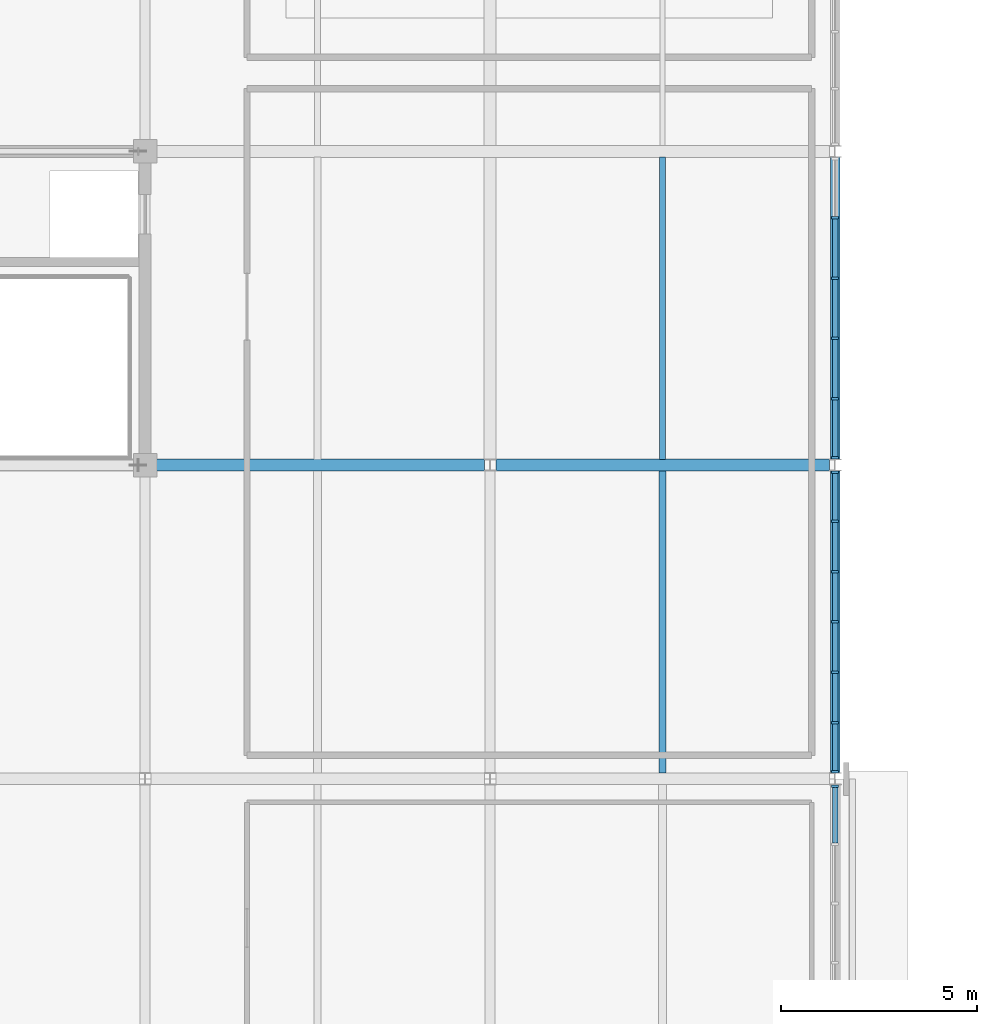
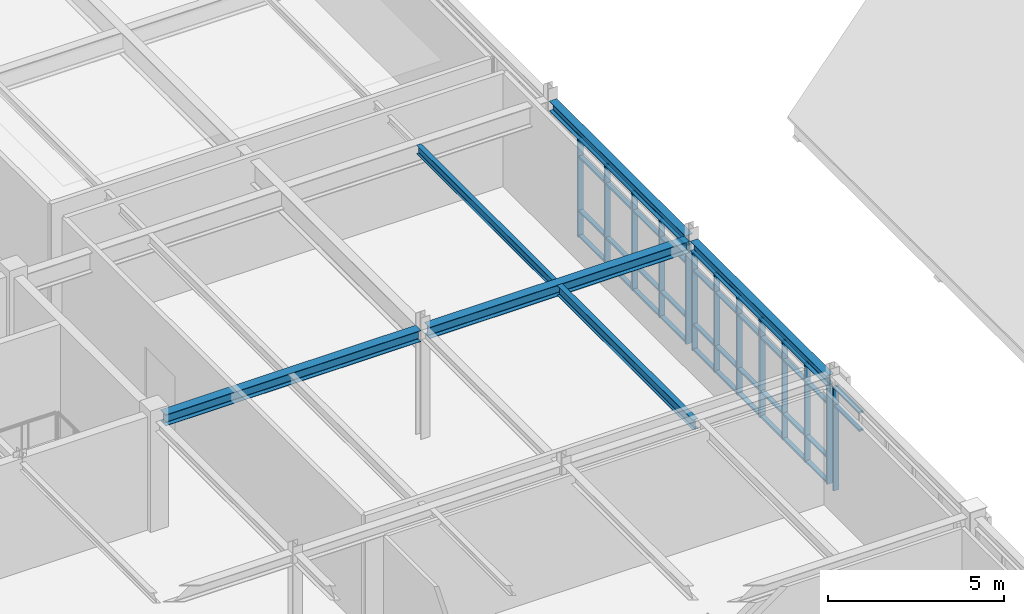
# One storey, part 19 of 64: 55 members, 6 beams, 3 elements without a shape of their own.
"""IFC4 building model written with IfcOpenShell, lengths in metres."""

from ifc_helpers import new_model, si_unit, direction, frame, origin, origin_2d, place, context, subcontext, project, spatial, rectangle, i_section, extrude, material, material_profile, profile_set, type_object, element, aggregate, save


model = new_model("IFC4")

# Units and contexts
model_context = context("Model", 3, precision=1e-05, world=origin(), true_north=direction((0.0, 1.0)))
body_context = subcontext(model_context, "Body", "Model", "MODEL_VIEW")
ifc_project = project(units=[si_unit("LENGTHUNIT", "METRE"), si_unit("AREAUNIT", "SQUARE_METRE"), si_unit("VOLUMEUNIT", "CUBIC_METRE"), si_unit("PLANEANGLEUNIT", "RADIAN"), si_unit("MASSUNIT", "GRAM", prefix="KILO")], contexts=[model_context])

# Site, building, storey
site_placement = place(None, origin())
site = spatial("IfcSite", under=ifc_project, at=site_placement, CompositionType="ELEMENT")
building_placement = place(site_placement, origin())
building = spatial("IfcBuilding", under=site, at=building_placement, Name="Zhaolan Boulevard Law Courts", CompositionType="ELEMENT")
storey_placement = place(building_placement, frame((0.0, 0.0, 20.39990234375)))
storey = spatial("IfcBuildingStorey", under=building, at=storey_placement, Name="L04", CompositionType="ELEMENT", Elevation=20.39990234375)

# Curtain wall, members
ifc_material_1 = material(Name="Thermally broken aluminium and low-E glazing", Category="aluminium")
curtain_wall_type_1 = type_object("IfcCurtainWallType", Name="CURTAIN WALL M15", PredefinedType="USERDEFINED", material=ifc_material_1)
curtain_wall_1_placement = place(storey_placement, origin())
curtain_wall_1 = element("IfcCurtainWall", 1, at=curtain_wall_1_placement, inside=storey, type_object=curtain_wall_type_1, Name="Curtain Wall CW-L04-135", ObjectType="CURTAIN WALL", PredefinedType="USERDEFINED")
ifc_material_2 = material(Name="Fluorocarbon-coated aluminium 6063-T6", Category="aluminium")
ifc_material_profile_1 = material_profile(ifc_material_2, rectangle(XDim=0.179931640625, YDim=0.06494140625, at=origin_2d()), Name="AL65x180")
ifc_profile_set_1 = profile_set([ifc_material_profile_1], Name="Fluorocarbon-coated aluminium 6063-T6")
member_type_1 = type_object("IfcMemberType", Name="CWMULLION 65X180", PredefinedType="MULLION", material=ifc_profile_set_1)
member_1_placement = place(storey_placement, frame((44.0, 78.1845703125, 0.0), z_axis=(0.0, 0.0, 1.0), x_axis=(-1.0, 0.0, 0.0)))
member_1 = element("IfcMember", 2, at=member_1_placement, type_object=member_type_1, Name="CW-L04-135 mullion 1", PredefinedType="MULLION", context=body_context, shape_type="SweptSolid", body=[
    extrude(rectangle(XDim=0.179931640625, YDim=0.06494140625, at=origin_2d()), origin(), (0.0, 0.0, 1.0), 3.423095703125),
])
member_2_placement = place(storey_placement, frame((44.0, 79.4345703125, 0.0), z_axis=(0.0, 0.0, 1.0), x_axis=(-1.0, 0.0, 0.0)))
member_2 = element("IfcMember", 3, at=member_2_placement, type_object=member_type_1, Name="CW-L04-135 mullion 2", PredefinedType="MULLION", context=body_context, shape_type="SweptSolid", body=[
    extrude(rectangle(XDim=0.179931640625, YDim=0.06494140625, at=origin_2d()), origin(), (0.0, 0.0, 1.0), 3.423095703125),
])
member_3_placement = place(storey_placement, frame((44.0, 80.71728515625, 0.0), z_axis=(0.0, 0.0, 1.0), x_axis=(-1.0, 0.0, 0.0)))
member_3 = element("IfcMember", 4, at=member_3_placement, type_object=member_type_1, Name="CW-L04-135 mullion 3", PredefinedType="MULLION", context=body_context, shape_type="SweptSolid", body=[
    extrude(rectangle(XDim=0.179931640625, YDim=0.06494140625, at=origin_2d()), origin(), (0.0, 0.0, 1.0), 3.423095703125),
])
member_4_placement = place(storey_placement, frame((44.0, 82.0, 0.0), z_axis=(0.0, 0.0, 1.0), x_axis=(-1.0, 0.0, 0.0)))
member_4 = element("IfcMember", 5, at=member_4_placement, type_object=member_type_1, Name="CW-L04-135 mullion 4", PredefinedType="MULLION", context=body_context, shape_type="SweptSolid", body=[
    extrude(rectangle(XDim=0.179931640625, YDim=0.06494140625, at=origin_2d()), origin(), (0.0, 0.0, 1.0), 3.423095703125),
])
member_5_placement = place(storey_placement, frame((44.0, 83.28271484375, 0.0), z_axis=(0.0, 0.0, 1.0), x_axis=(-1.0, 0.0, 0.0)))
member_5 = element("IfcMember", 6, at=member_5_placement, type_object=member_type_1, Name="CW-L04-135 mullion 5", PredefinedType="MULLION", context=body_context, shape_type="SweptSolid", body=[
    extrude(rectangle(XDim=0.179931640625, YDim=0.06494140625, at=origin_2d()), origin(), (0.0, 0.0, 1.0), 3.423095703125),
])
member_6_placement = place(storey_placement, frame((44.0, 84.5654296875, 0.0), z_axis=(0.0, 0.0, 1.0), x_axis=(-1.0, 0.0, 0.0)))
member_6 = element("IfcMember", 7, at=member_6_placement, type_object=member_type_1, Name="CW-L04-135 mullion 6", PredefinedType="MULLION", context=body_context, shape_type="SweptSolid", body=[
    extrude(rectangle(XDim=0.179931640625, YDim=0.06494140625, at=origin_2d()), origin(), (0.0, 0.0, 1.0), 3.423095703125),
])
member_7_placement = place(storey_placement, frame((44.0, 85.8154296875, 0.0), z_axis=(0.0, 0.0, 1.0), x_axis=(-1.0, 0.0, 0.0)))
member_7 = element("IfcMember", 8, at=member_7_placement, type_object=member_type_1, Name="CW-L04-135 mullion 7", PredefinedType="MULLION", context=body_context, shape_type="SweptSolid", body=[
    extrude(rectangle(XDim=0.179931640625, YDim=0.06494140625, at=origin_2d()), origin(), (0.0, 0.0, 1.0), 3.423095703125),
])

ifc_material_3 = material(Name="Thermally broken aluminium and low-E glazing", Category="aluminium")
curtain_wall_type_2 = type_object("IfcCurtainWallType", Name="CURTAIN WALL M16", PredefinedType="USERDEFINED", material=ifc_material_3)
curtain_wall_2_placement = place(storey_placement, origin())
curtain_wall_2 = element("IfcCurtainWall", 9, at=curtain_wall_2_placement, inside=storey, type_object=curtain_wall_type_2, Name="Curtain Wall CW-L04-136", ObjectType="CURTAIN WALL", PredefinedType="USERDEFINED")
member_8_placement = place(storey_placement, frame((44.0, 86.1845703125, 0.0), z_axis=(0.0, 0.0, 1.0), x_axis=(-1.0, 0.0, 0.0)))
member_8 = element("IfcMember", 10, at=member_8_placement, type_object=member_type_1, Name="CW-L04-136 mullion 1", PredefinedType="MULLION", context=body_context, shape_type="SweptSolid", body=[
    extrude(rectangle(XDim=0.179931640625, YDim=0.06494140625, at=origin_2d()), origin(), (0.0, 0.0, 1.0), 3.423095703125),
])
member_9_placement = place(storey_placement, frame((44.0, 87.691162109375, 0.0), z_axis=(0.0, 0.0, 1.0), x_axis=(-1.0, 0.0, 0.0)))
member_9 = element("IfcMember", 11, at=member_9_placement, type_object=member_type_1, Name="CW-L04-136 mullion 2", PredefinedType="MULLION", context=body_context, shape_type="SweptSolid", body=[
    extrude(rectangle(XDim=0.179931640625, YDim=0.06494140625, at=origin_2d()), origin(), (0.0, 0.0, 1.0), 3.423095703125),
])
member_10_placement = place(storey_placement, frame((44.0, 89.23046875, 0.0), z_axis=(0.0, 0.0, 1.0), x_axis=(-1.0, 0.0, 0.0)))
member_10 = element("IfcMember", 12, at=member_10_placement, type_object=member_type_1, Name="CW-L04-136 mullion 3", PredefinedType="MULLION", context=body_context, shape_type="SweptSolid", body=[
    extrude(rectangle(XDim=0.179931640625, YDim=0.06494140625, at=origin_2d()), origin(), (0.0, 0.0, 1.0), 3.423095703125),
])
member_11_placement = place(storey_placement, frame((44.0, 90.76953125, 0.0), z_axis=(0.0, 0.0, 1.0), x_axis=(-1.0, 0.0, 0.0)))
member_11 = element("IfcMember", 13, at=member_11_placement, type_object=member_type_1, Name="CW-L04-136 mullion 4", PredefinedType="MULLION", context=body_context, shape_type="SweptSolid", body=[
    extrude(rectangle(XDim=0.179931640625, YDim=0.06494140625, at=origin_2d()), origin(), (0.0, 0.0, 1.0), 3.423095703125),
])
member_12_placement = place(storey_placement, frame((44.0, 92.308837890625, 0.0), z_axis=(0.0, 0.0, 1.0), x_axis=(-1.0, 0.0, 0.0)))
member_12 = element("IfcMember", 14, at=member_12_placement, type_object=member_type_1, Name="CW-L04-136 mullion 5", PredefinedType="MULLION", context=body_context, shape_type="SweptSolid", body=[
    extrude(rectangle(XDim=0.179931640625, YDim=0.06494140625, at=origin_2d()), origin(), (0.0, 0.0, 1.0), 3.423095703125),
])

# Curtain wall, member
ifc_material_4 = material(Name="Thermally broken aluminium and low-E glazing", Category="aluminium")
curtain_wall_type_3 = type_object("IfcCurtainWallType", Name="CURTAIN WALL M9", PredefinedType="USERDEFINED", material=ifc_material_4)
curtain_wall_3_placement = place(storey_placement, origin())
curtain_wall_3 = element("IfcCurtainWall", 15, at=curtain_wall_3_placement, inside=storey, type_object=curtain_wall_type_3, Name="Curtain Wall CW-L04-201", ObjectType="CURTAIN WALL", PredefinedType="USERDEFINED")
member_13_placement = place(storey_placement, frame((44.0, 77.8154296875, 0.0), z_axis=(0.0, 0.0, 1.0), x_axis=(-1.0, 0.0, 0.0)))
member_13 = element("IfcMember", 16, at=member_13_placement, type_object=member_type_1, Name="CW-L04-201 mullion 6", PredefinedType="MULLION", context=body_context, shape_type="SweptSolid", body=[
    extrude(rectangle(XDim=0.179931640625, YDim=0.06494140625, at=origin_2d()), origin(), (0.0, 0.0, 1.0), 3.593017578125),
])

# Member
ifc_material_5 = material(Name="Fluorocarbon-coated aluminium 6063-T6", Category="aluminium")
ifc_material_profile_2 = material_profile(ifc_material_5, rectangle(XDim=0.139892578125, YDim=0.06494140625, at=origin_2d()), Name="AL65x140")
ifc_profile_set_2 = profile_set([ifc_material_profile_2], Name="Fluorocarbon-coated aluminium 6063-T6")
member_type_2 = type_object("IfcMemberType", Name="CWTRANSOM 65X140", PredefinedType="USERDEFINED", material=ifc_profile_set_2)
member_14_placement = place(storey_placement, frame((44.0, 78.217041015625, 0.03271484375), z_axis=(0.0, 1.0, 0.0), x_axis=(-1.0, 0.0, 0.0)))
member_14 = element("IfcMember", 17, at=member_14_placement, type_object=member_type_2, Name="CW-L04-135 transom 1.1", ObjectType="TRANSOM", PredefinedType="USERDEFINED", context=body_context, shape_type="SweptSolid", body=[
    extrude(rectangle(XDim=0.139892578125, YDim=0.06494140625, at=origin_2d()), origin(), (0.0, 0.0, 1.0), 1.18505859375),
])

member_15_placement = place(storey_placement, frame((44.0, 78.217041015625, 0.900146484375), z_axis=(0.0, 1.0, 0.0), x_axis=(-1.0, 0.0, 0.0)))
member_15 = element("IfcMember", 18, at=member_15_placement, type_object=member_type_2, Name="CW-L04-135 transom 1.2", ObjectType="TRANSOM", PredefinedType="USERDEFINED", context=body_context, shape_type="SweptSolid", body=[
    extrude(rectangle(XDim=0.139892578125, YDim=0.06494140625, at=origin_2d()), origin(), (0.0, 0.0, 1.0), 1.18505859375),
])

member_16_placement = place(storey_placement, frame((44.0, 78.217041015625, 2.773193359375), z_axis=(0.0, 1.0, 0.0), x_axis=(-1.0, 0.0, 0.0)))
member_16 = element("IfcMember", 19, at=member_16_placement, type_object=member_type_2, Name="CW-L04-135 transom 1.3", ObjectType="TRANSOM", PredefinedType="USERDEFINED", context=body_context, shape_type="SweptSolid", body=[
    extrude(rectangle(XDim=0.139892578125, YDim=0.06494140625, at=origin_2d()), origin(), (0.0, 0.0, 1.0), 1.18505859375),
])

member_17_placement = place(storey_placement, frame((44.0, 78.217041015625, 3.390625), z_axis=(0.0, 1.0, 0.0), x_axis=(-1.0, 0.0, 0.0)))
member_17 = element("IfcMember", 20, at=member_17_placement, type_object=member_type_2, Name="CW-L04-135 transom 1.4", ObjectType="TRANSOM", PredefinedType="USERDEFINED", context=body_context, shape_type="SweptSolid", body=[
    extrude(rectangle(XDim=0.139892578125, YDim=0.06494140625, at=origin_2d()), origin(), (0.0, 0.0, 1.0), 1.18505859375),
])

member_18_placement = place(storey_placement, frame((44.0, 79.46728515625, 0.03271484375), z_axis=(0.0, 1.0, 0.0), x_axis=(-1.0, 0.0, 0.0)))
member_18 = element("IfcMember", 21, at=member_18_placement, type_object=member_type_2, Name="CW-L04-135 transom 2.1", ObjectType="TRANSOM", PredefinedType="USERDEFINED", context=body_context, shape_type="SweptSolid", body=[
    extrude(rectangle(XDim=0.139892578125, YDim=0.06494140625, at=origin_2d()), origin(), (0.0, 0.0, 1.0), 1.217529296875),
])

member_19_placement = place(storey_placement, frame((44.0, 79.46728515625, 0.900146484375), z_axis=(0.0, 1.0, 0.0), x_axis=(-1.0, 0.0, 0.0)))
member_19 = element("IfcMember", 22, at=member_19_placement, type_object=member_type_2, Name="CW-L04-135 transom 2.2", ObjectType="TRANSOM", PredefinedType="USERDEFINED", context=body_context, shape_type="SweptSolid", body=[
    extrude(rectangle(XDim=0.139892578125, YDim=0.06494140625, at=origin_2d()), origin(), (0.0, 0.0, 1.0), 1.217529296875),
])

member_20_placement = place(storey_placement, frame((44.0, 79.46728515625, 2.773193359375), z_axis=(0.0, 1.0, 0.0), x_axis=(-1.0, 0.0, 0.0)))
member_20 = element("IfcMember", 23, at=member_20_placement, type_object=member_type_2, Name="CW-L04-135 transom 2.3", ObjectType="TRANSOM", PredefinedType="USERDEFINED", context=body_context, shape_type="SweptSolid", body=[
    extrude(rectangle(XDim=0.139892578125, YDim=0.06494140625, at=origin_2d()), origin(), (0.0, 0.0, 1.0), 1.217529296875),
])

member_21_placement = place(storey_placement, frame((44.0, 79.46728515625, 3.390625), z_axis=(0.0, 1.0, 0.0), x_axis=(-1.0, 0.0, 0.0)))
member_21 = element("IfcMember", 24, at=member_21_placement, type_object=member_type_2, Name="CW-L04-135 transom 2.4", ObjectType="TRANSOM", PredefinedType="USERDEFINED", context=body_context, shape_type="SweptSolid", body=[
    extrude(rectangle(XDim=0.139892578125, YDim=0.06494140625, at=origin_2d()), origin(), (0.0, 0.0, 1.0), 1.217529296875),
])

member_22_placement = place(storey_placement, frame((44.0, 80.749755859375, 0.03271484375), z_axis=(0.0, 1.0, 0.0), x_axis=(-1.0, 0.0, 0.0)))
member_22 = element("IfcMember", 25, at=member_22_placement, type_object=member_type_2, Name="CW-L04-135 transom 3.1", ObjectType="TRANSOM", PredefinedType="USERDEFINED", context=body_context, shape_type="SweptSolid", body=[
    extrude(rectangle(XDim=0.139892578125, YDim=0.06494140625, at=origin_2d()), origin(), (0.0, 0.0, 1.0), 1.2177734375),
])

member_23_placement = place(storey_placement, frame((44.0, 80.749755859375, 0.900146484375), z_axis=(0.0, 1.0, 0.0), x_axis=(-1.0, 0.0, 0.0)))
member_23 = element("IfcMember", 26, at=member_23_placement, type_object=member_type_2, Name="CW-L04-135 transom 3.2", ObjectType="TRANSOM", PredefinedType="USERDEFINED", context=body_context, shape_type="SweptSolid", body=[
    extrude(rectangle(XDim=0.139892578125, YDim=0.06494140625, at=origin_2d()), origin(), (0.0, 0.0, 1.0), 1.2177734375),
])

member_24_placement = place(storey_placement, frame((44.0, 80.749755859375, 2.773193359375), z_axis=(0.0, 1.0, 0.0), x_axis=(-1.0, 0.0, 0.0)))
member_24 = element("IfcMember", 27, at=member_24_placement, type_object=member_type_2, Name="CW-L04-135 transom 3.3", ObjectType="TRANSOM", PredefinedType="USERDEFINED", context=body_context, shape_type="SweptSolid", body=[
    extrude(rectangle(XDim=0.139892578125, YDim=0.06494140625, at=origin_2d()), origin(), (0.0, 0.0, 1.0), 1.2177734375),
])

member_25_placement = place(storey_placement, frame((44.0, 80.749755859375, 3.390625), z_axis=(0.0, 1.0, 0.0), x_axis=(-1.0, 0.0, 0.0)))
member_25 = element("IfcMember", 28, at=member_25_placement, type_object=member_type_2, Name="CW-L04-135 transom 3.4", ObjectType="TRANSOM", PredefinedType="USERDEFINED", context=body_context, shape_type="SweptSolid", body=[
    extrude(rectangle(XDim=0.139892578125, YDim=0.06494140625, at=origin_2d()), origin(), (0.0, 0.0, 1.0), 1.2177734375),
])

member_26_placement = place(storey_placement, frame((44.0, 82.032470703125, 0.03271484375), z_axis=(0.0, 1.0, 0.0), x_axis=(-1.0, 0.0, 0.0)))
member_26 = element("IfcMember", 29, at=member_26_placement, type_object=member_type_2, Name="CW-L04-135 transom 4.1", ObjectType="TRANSOM", PredefinedType="USERDEFINED", context=body_context, shape_type="SweptSolid", body=[
    extrude(rectangle(XDim=0.139892578125, YDim=0.06494140625, at=origin_2d()), origin(), (0.0, 0.0, 1.0), 1.2177734375),
])

member_27_placement = place(storey_placement, frame((44.0, 82.032470703125, 0.900146484375), z_axis=(0.0, 1.0, 0.0), x_axis=(-1.0, 0.0, 0.0)))
member_27 = element("IfcMember", 30, at=member_27_placement, type_object=member_type_2, Name="CW-L04-135 transom 4.2", ObjectType="TRANSOM", PredefinedType="USERDEFINED", context=body_context, shape_type="SweptSolid", body=[
    extrude(rectangle(XDim=0.139892578125, YDim=0.06494140625, at=origin_2d()), origin(), (0.0, 0.0, 1.0), 1.2177734375),
])

member_28_placement = place(storey_placement, frame((44.0, 82.032470703125, 2.773193359375), z_axis=(0.0, 1.0, 0.0), x_axis=(-1.0, 0.0, 0.0)))
member_28 = element("IfcMember", 31, at=member_28_placement, type_object=member_type_2, Name="CW-L04-135 transom 4.3", ObjectType="TRANSOM", PredefinedType="USERDEFINED", context=body_context, shape_type="SweptSolid", body=[
    extrude(rectangle(XDim=0.139892578125, YDim=0.06494140625, at=origin_2d()), origin(), (0.0, 0.0, 1.0), 1.2177734375),
])

member_29_placement = place(storey_placement, frame((44.0, 82.032470703125, 3.390625), z_axis=(0.0, 1.0, 0.0), x_axis=(-1.0, 0.0, 0.0)))
member_29 = element("IfcMember", 32, at=member_29_placement, type_object=member_type_2, Name="CW-L04-135 transom 4.4", ObjectType="TRANSOM", PredefinedType="USERDEFINED", context=body_context, shape_type="SweptSolid", body=[
    extrude(rectangle(XDim=0.139892578125, YDim=0.06494140625, at=origin_2d()), origin(), (0.0, 0.0, 1.0), 1.2177734375),
])

member_30_placement = place(storey_placement, frame((44.0, 83.315185546875, 0.03271484375), z_axis=(0.0, 1.0, 0.0), x_axis=(-1.0, 0.0, 0.0)))
member_30 = element("IfcMember", 33, at=member_30_placement, type_object=member_type_2, Name="CW-L04-135 transom 5.1", ObjectType="TRANSOM", PredefinedType="USERDEFINED", context=body_context, shape_type="SweptSolid", body=[
    extrude(rectangle(XDim=0.139892578125, YDim=0.06494140625, at=origin_2d()), origin(), (0.0, 0.0, 1.0), 1.217529296875),
])

member_31_placement = place(storey_placement, frame((44.0, 83.315185546875, 0.900146484375), z_axis=(0.0, 1.0, 0.0), x_axis=(-1.0, 0.0, 0.0)))
member_31 = element("IfcMember", 34, at=member_31_placement, type_object=member_type_2, Name="CW-L04-135 transom 5.2", ObjectType="TRANSOM", PredefinedType="USERDEFINED", context=body_context, shape_type="SweptSolid", body=[
    extrude(rectangle(XDim=0.139892578125, YDim=0.06494140625, at=origin_2d()), origin(), (0.0, 0.0, 1.0), 1.217529296875),
])

member_32_placement = place(storey_placement, frame((44.0, 83.315185546875, 2.773193359375), z_axis=(0.0, 1.0, 0.0), x_axis=(-1.0, 0.0, 0.0)))
member_32 = element("IfcMember", 35, at=member_32_placement, type_object=member_type_2, Name="CW-L04-135 transom 5.3", ObjectType="TRANSOM", PredefinedType="USERDEFINED", context=body_context, shape_type="SweptSolid", body=[
    extrude(rectangle(XDim=0.139892578125, YDim=0.06494140625, at=origin_2d()), origin(), (0.0, 0.0, 1.0), 1.217529296875),
])

member_33_placement = place(storey_placement, frame((44.0, 83.315185546875, 3.390625), z_axis=(0.0, 1.0, 0.0), x_axis=(-1.0, 0.0, 0.0)))
member_33 = element("IfcMember", 36, at=member_33_placement, type_object=member_type_2, Name="CW-L04-135 transom 5.4", ObjectType="TRANSOM", PredefinedType="USERDEFINED", context=body_context, shape_type="SweptSolid", body=[
    extrude(rectangle(XDim=0.139892578125, YDim=0.06494140625, at=origin_2d()), origin(), (0.0, 0.0, 1.0), 1.217529296875),
])

member_34_placement = place(storey_placement, frame((44.0, 84.597900390625, 0.03271484375), z_axis=(0.0, 1.0, 0.0), x_axis=(-1.0, 0.0, 0.0)))
member_34 = element("IfcMember", 37, at=member_34_placement, type_object=member_type_2, Name="CW-L04-135 transom 6.1", ObjectType="TRANSOM", PredefinedType="USERDEFINED", context=body_context, shape_type="SweptSolid", body=[
    extrude(rectangle(XDim=0.139892578125, YDim=0.06494140625, at=origin_2d()), origin(), (0.0, 0.0, 1.0), 1.18505859375),
])

member_35_placement = place(storey_placement, frame((44.0, 84.597900390625, 0.900146484375), z_axis=(0.0, 1.0, 0.0), x_axis=(-1.0, 0.0, 0.0)))
member_35 = element("IfcMember", 38, at=member_35_placement, type_object=member_type_2, Name="CW-L04-135 transom 6.2", ObjectType="TRANSOM", PredefinedType="USERDEFINED", context=body_context, shape_type="SweptSolid", body=[
    extrude(rectangle(XDim=0.139892578125, YDim=0.06494140625, at=origin_2d()), origin(), (0.0, 0.0, 1.0), 1.18505859375),
])

member_36_placement = place(storey_placement, frame((44.0, 84.597900390625, 2.773193359375), z_axis=(0.0, 1.0, 0.0), x_axis=(-1.0, 0.0, 0.0)))
member_36 = element("IfcMember", 39, at=member_36_placement, type_object=member_type_2, Name="CW-L04-135 transom 6.3", ObjectType="TRANSOM", PredefinedType="USERDEFINED", context=body_context, shape_type="SweptSolid", body=[
    extrude(rectangle(XDim=0.139892578125, YDim=0.06494140625, at=origin_2d()), origin(), (0.0, 0.0, 1.0), 1.18505859375),
])

member_37_placement = place(storey_placement, frame((44.0, 84.597900390625, 3.390625), z_axis=(0.0, 1.0, 0.0), x_axis=(-1.0, 0.0, 0.0)))
member_37 = element("IfcMember", 40, at=member_37_placement, type_object=member_type_2, Name="CW-L04-135 transom 6.4", ObjectType="TRANSOM", PredefinedType="USERDEFINED", context=body_context, shape_type="SweptSolid", body=[
    extrude(rectangle(XDim=0.139892578125, YDim=0.06494140625, at=origin_2d()), origin(), (0.0, 0.0, 1.0), 1.18505859375),
])

aggregate(curtain_wall_1, [member_1, member_2, member_3, member_4, member_5, member_6, member_7, member_14, member_15, member_16, member_17, member_18, member_19, member_20, member_21, member_22, member_23, member_24, member_25, member_26, member_27, member_28, member_29, member_30, member_31, member_32, member_33, member_34, member_35, member_36, member_37])

member_38_placement = place(storey_placement, frame((44.0, 86.217041015625, 0.03271484375), z_axis=(0.0, 1.0, 0.0), x_axis=(-1.0, 0.0, 0.0)))
member_38 = element("IfcMember", 41, at=member_38_placement, type_object=member_type_2, Name="CW-L04-136 transom 1.1", ObjectType="TRANSOM", PredefinedType="USERDEFINED", context=body_context, shape_type="SweptSolid", body=[
    extrude(rectangle(XDim=0.139892578125, YDim=0.06494140625, at=origin_2d()), origin(), (0.0, 0.0, 1.0), 1.441650390625),
])

member_39_placement = place(storey_placement, frame((44.0, 86.217041015625, 0.900146484375), z_axis=(0.0, 1.0, 0.0), x_axis=(-1.0, 0.0, 0.0)))
member_39 = element("IfcMember", 42, at=member_39_placement, type_object=member_type_2, Name="CW-L04-136 transom 1.2", ObjectType="TRANSOM", PredefinedType="USERDEFINED", context=body_context, shape_type="SweptSolid", body=[
    extrude(rectangle(XDim=0.139892578125, YDim=0.06494140625, at=origin_2d()), origin(), (0.0, 0.0, 1.0), 1.441650390625),
])

member_40_placement = place(storey_placement, frame((44.0, 86.217041015625, 2.773193359375), z_axis=(0.0, 1.0, 0.0), x_axis=(-1.0, 0.0, 0.0)))
member_40 = element("IfcMember", 43, at=member_40_placement, type_object=member_type_2, Name="CW-L04-136 transom 1.3", ObjectType="TRANSOM", PredefinedType="USERDEFINED", context=body_context, shape_type="SweptSolid", body=[
    extrude(rectangle(XDim=0.139892578125, YDim=0.06494140625, at=origin_2d()), origin(), (0.0, 0.0, 1.0), 1.441650390625),
])

member_41_placement = place(storey_placement, frame((44.0, 86.217041015625, 3.390625), z_axis=(0.0, 1.0, 0.0), x_axis=(-1.0, 0.0, 0.0)))
member_41 = element("IfcMember", 44, at=member_41_placement, type_object=member_type_2, Name="CW-L04-136 transom 1.4", ObjectType="TRANSOM", PredefinedType="USERDEFINED", context=body_context, shape_type="SweptSolid", body=[
    extrude(rectangle(XDim=0.139892578125, YDim=0.06494140625, at=origin_2d()), origin(), (0.0, 0.0, 1.0), 1.441650390625),
])

member_42_placement = place(storey_placement, frame((44.0, 87.7236328125, 0.03271484375), z_axis=(0.0, 1.0, 0.0), x_axis=(-1.0, 0.0, 0.0)))
member_42 = element("IfcMember", 45, at=member_42_placement, type_object=member_type_2, Name="CW-L04-136 transom 2.1", ObjectType="TRANSOM", PredefinedType="USERDEFINED", context=body_context, shape_type="SweptSolid", body=[
    extrude(rectangle(XDim=0.139892578125, YDim=0.06494140625, at=origin_2d()), origin(), (0.0, 0.0, 1.0), 1.474365234375),
])

member_43_placement = place(storey_placement, frame((44.0, 87.7236328125, 0.900146484375), z_axis=(0.0, 1.0, 0.0), x_axis=(-1.0, 0.0, 0.0)))
member_43 = element("IfcMember", 46, at=member_43_placement, type_object=member_type_2, Name="CW-L04-136 transom 2.2", ObjectType="TRANSOM", PredefinedType="USERDEFINED", context=body_context, shape_type="SweptSolid", body=[
    extrude(rectangle(XDim=0.139892578125, YDim=0.06494140625, at=origin_2d()), origin(), (0.0, 0.0, 1.0), 1.474365234375),
])

member_44_placement = place(storey_placement, frame((44.0, 87.7236328125, 2.773193359375), z_axis=(0.0, 1.0, 0.0), x_axis=(-1.0, 0.0, 0.0)))
member_44 = element("IfcMember", 47, at=member_44_placement, type_object=member_type_2, Name="CW-L04-136 transom 2.3", ObjectType="TRANSOM", PredefinedType="USERDEFINED", context=body_context, shape_type="SweptSolid", body=[
    extrude(rectangle(XDim=0.139892578125, YDim=0.06494140625, at=origin_2d()), origin(), (0.0, 0.0, 1.0), 1.474365234375),
])

member_45_placement = place(storey_placement, frame((44.0, 87.7236328125, 3.390625), z_axis=(0.0, 1.0, 0.0), x_axis=(-1.0, 0.0, 0.0)))
member_45 = element("IfcMember", 48, at=member_45_placement, type_object=member_type_2, Name="CW-L04-136 transom 2.4", ObjectType="TRANSOM", PredefinedType="USERDEFINED", context=body_context, shape_type="SweptSolid", body=[
    extrude(rectangle(XDim=0.139892578125, YDim=0.06494140625, at=origin_2d()), origin(), (0.0, 0.0, 1.0), 1.474365234375),
])

member_46_placement = place(storey_placement, frame((44.0, 89.262939453125, 0.03271484375), z_axis=(0.0, 1.0, 0.0), x_axis=(-1.0, 0.0, 0.0)))
member_46 = element("IfcMember", 49, at=member_46_placement, type_object=member_type_2, Name="CW-L04-136 transom 3.1", ObjectType="TRANSOM", PredefinedType="USERDEFINED", context=body_context, shape_type="SweptSolid", body=[
    extrude(rectangle(XDim=0.139892578125, YDim=0.06494140625, at=origin_2d()), origin(), (0.0, 0.0, 1.0), 1.47412109375),
])

member_47_placement = place(storey_placement, frame((44.0, 89.262939453125, 0.900146484375), z_axis=(0.0, 1.0, 0.0), x_axis=(-1.0, 0.0, 0.0)))
member_47 = element("IfcMember", 50, at=member_47_placement, type_object=member_type_2, Name="CW-L04-136 transom 3.2", ObjectType="TRANSOM", PredefinedType="USERDEFINED", context=body_context, shape_type="SweptSolid", body=[
    extrude(rectangle(XDim=0.139892578125, YDim=0.06494140625, at=origin_2d()), origin(), (0.0, 0.0, 1.0), 1.47412109375),
])

member_48_placement = place(storey_placement, frame((44.0, 89.262939453125, 2.773193359375), z_axis=(0.0, 1.0, 0.0), x_axis=(-1.0, 0.0, 0.0)))
member_48 = element("IfcMember", 51, at=member_48_placement, type_object=member_type_2, Name="CW-L04-136 transom 3.3", ObjectType="TRANSOM", PredefinedType="USERDEFINED", context=body_context, shape_type="SweptSolid", body=[
    extrude(rectangle(XDim=0.139892578125, YDim=0.06494140625, at=origin_2d()), origin(), (0.0, 0.0, 1.0), 1.47412109375),
])

member_49_placement = place(storey_placement, frame((44.0, 89.262939453125, 3.390625), z_axis=(0.0, 1.0, 0.0), x_axis=(-1.0, 0.0, 0.0)))
member_49 = element("IfcMember", 52, at=member_49_placement, type_object=member_type_2, Name="CW-L04-136 transom 3.4", ObjectType="TRANSOM", PredefinedType="USERDEFINED", context=body_context, shape_type="SweptSolid", body=[
    extrude(rectangle(XDim=0.139892578125, YDim=0.06494140625, at=origin_2d()), origin(), (0.0, 0.0, 1.0), 1.47412109375),
])

member_50_placement = place(storey_placement, frame((44.0, 90.802001953125, 0.03271484375), z_axis=(0.0, 1.0, 0.0), x_axis=(-1.0, 0.0, 0.0)))
member_50 = element("IfcMember", 53, at=member_50_placement, type_object=member_type_2, Name="CW-L04-136 transom 4.1", ObjectType="TRANSOM", PredefinedType="USERDEFINED", context=body_context, shape_type="SweptSolid", body=[
    extrude(rectangle(XDim=0.139892578125, YDim=0.06494140625, at=origin_2d()), origin(), (0.0, 0.0, 1.0), 1.474365234375),
])

member_51_placement = place(storey_placement, frame((44.0, 90.802001953125, 0.900146484375), z_axis=(0.0, 1.0, 0.0), x_axis=(-1.0, 0.0, 0.0)))
member_51 = element("IfcMember", 54, at=member_51_placement, type_object=member_type_2, Name="CW-L04-136 transom 4.2", ObjectType="TRANSOM", PredefinedType="USERDEFINED", context=body_context, shape_type="SweptSolid", body=[
    extrude(rectangle(XDim=0.139892578125, YDim=0.06494140625, at=origin_2d()), origin(), (0.0, 0.0, 1.0), 1.474365234375),
])

member_52_placement = place(storey_placement, frame((44.0, 90.802001953125, 2.773193359375), z_axis=(0.0, 1.0, 0.0), x_axis=(-1.0, 0.0, 0.0)))
member_52 = element("IfcMember", 55, at=member_52_placement, type_object=member_type_2, Name="CW-L04-136 transom 4.3", ObjectType="TRANSOM", PredefinedType="USERDEFINED", context=body_context, shape_type="SweptSolid", body=[
    extrude(rectangle(XDim=0.139892578125, YDim=0.06494140625, at=origin_2d()), origin(), (0.0, 0.0, 1.0), 1.474365234375),
])

member_53_placement = place(storey_placement, frame((44.0, 90.802001953125, 3.390625), z_axis=(0.0, 1.0, 0.0), x_axis=(-1.0, 0.0, 0.0)))
member_53 = element("IfcMember", 56, at=member_53_placement, type_object=member_type_2, Name="CW-L04-136 transom 4.4", ObjectType="TRANSOM", PredefinedType="USERDEFINED", context=body_context, shape_type="SweptSolid", body=[
    extrude(rectangle(XDim=0.139892578125, YDim=0.06494140625, at=origin_2d()), origin(), (0.0, 0.0, 1.0), 1.474365234375),
])

aggregate(curtain_wall_2, [member_8, member_9, member_10, member_11, member_12, member_38, member_39, member_40, member_41, member_42, member_43, member_44, member_45, member_46, member_47, member_48, member_49, member_50, member_51, member_52, member_53])

member_54_placement = place(storey_placement, frame((44.0, 76.3662109375, 2.943115234375), z_axis=(0.0, 1.0, 0.0), x_axis=(-1.0, 0.0, 0.0)))
member_54 = element("IfcMember", 57, at=member_54_placement, type_object=member_type_2, Name="CW-L04-201 transom 5.3", ObjectType="TRANSOM", PredefinedType="USERDEFINED", context=body_context, shape_type="SweptSolid", body=[
    extrude(rectangle(XDim=0.139892578125, YDim=0.06494140625, at=origin_2d()), origin(), (0.0, 0.0, 1.0), 1.416748046875),
])

member_55_placement = place(storey_placement, frame((44.0, 76.3662109375, 3.560546875), z_axis=(0.0, 1.0, 0.0), x_axis=(-1.0, 0.0, 0.0)))
member_55 = element("IfcMember", 58, at=member_55_placement, type_object=member_type_2, Name="CW-L04-201 transom 5.4", ObjectType="TRANSOM", PredefinedType="USERDEFINED", context=body_context, shape_type="SweptSolid", body=[
    extrude(rectangle(XDim=0.139892578125, YDim=0.06494140625, at=origin_2d()), origin(), (0.0, 0.0, 1.0), 1.416748046875),
])

aggregate(curtain_wall_3, [member_13, member_54, member_55])

# Beams
ifc_material_6 = material(Name="Structural steel Q355B", Category="steel")
ifc_material_profile_3 = material_profile(ifc_material_6, i_section(OverallWidth=0.25, OverallDepth=0.340087890625, WebThickness=0.009033203125, FlangeThickness=0.013916015625, FilletRadius=0.01611328125, at=origin_2d()), Name="HM340x250")
ifc_profile_set_3 = profile_set([ifc_material_profile_3], Name="Structural steel Q355B")
beam_type_1 = type_object("IfcBeamType", Name="GIRDER HM340", PredefinedType="BEAM", material=ifc_profile_set_3)
for number, where, z_axis, x_axis, name in (
    (59, (44.0, 78.14599609375, 3.608154296875), (0.0, 1.0, 0.0), (-1.0, 0.0, 0.0), "Beam BY-L05-6-L-M"),
    (60, (44.0, 86.14599609375, 3.608154296875), (0.0, 1.0, 0.0), (-1.0, 0.0, 0.0), "Beam BY-L05-6-M-N"),
):
    element("IfcBeam", number, at=place(storey_placement, frame(where, z_axis=z_axis, x_axis=x_axis)), inside=storey, type_object=beam_type_1, Name=name, PredefinedType="BEAM", context=body_context, shape_type="SweptSolid", body=[
        extrude(i_section(OverallWidth=0.25, OverallDepth=0.340087890625, WebThickness=0.009033203125, FlangeThickness=0.013916015625, FilletRadius=0.01611328125, at=origin_2d()), origin(), (0.0, 0.0, 1.0), 7.7080078125),
    ])
ifc_material_7 = material(Name="Structural steel Q355B", Category="steel")
ifc_material_profile_4 = material_profile(ifc_material_7, i_section(OverallWidth=0.300048828125, OverallDepth=0.389892578125, WebThickness=0.010009765625, FlangeThickness=0.01611328125, FilletRadius=0.01806640625, at=origin_2d()), Name="HM390x300")
ifc_profile_set_4 = profile_set([ifc_material_profile_4], Name="Structural steel Q355B")
beam_type_2 = type_object("IfcBeamType", Name="GIRDER HM390", PredefinedType="BEAM", material=ifc_profile_set_4)
beam_1_placement = place(storey_placement, frame((26.696044921875, 86.0, 3.5830078125), z_axis=(1.0, 0.0, 0.0), x_axis=(0.0, 1.0, 0.0)))
element("IfcBeam", 61, at=beam_1_placement, inside=storey, type_object=beam_type_2, Name="Beam BX-L05-4-5-M", PredefinedType="BEAM", context=body_context, shape_type="SweptSolid", body=[
    extrude(i_section(OverallWidth=0.300048828125, OverallDepth=0.389892578125, WebThickness=0.010009765625, FlangeThickness=0.01611328125, FilletRadius=0.01806640625, at=origin_2d()), origin(), (0.0, 0.0, 1.0), 8.35791015625),
])
beam_2_placement = place(storey_placement, frame((35.345947265625, 86.0, 3.5830078125), z_axis=(1.0, 0.0, 0.0), x_axis=(0.0, 1.0, 0.0)))
element("IfcBeam", 62, at=beam_2_placement, inside=storey, type_object=beam_type_2, Name="Beam BX-L05-5-6-M", PredefinedType="BEAM", context=body_context, shape_type="SweptSolid", body=[
    extrude(i_section(OverallWidth=0.300048828125, OverallDepth=0.389892578125, WebThickness=0.010009765625, FlangeThickness=0.01611328125, FilletRadius=0.01806640625, at=origin_2d()), origin(), (0.0, 0.0, 1.0), 8.508056640625),
])
ifc_material_8 = material(Name="Structural steel Q355B", Category="steel")
ifc_material_profile_5 = material_profile(ifc_material_8, i_section(OverallWidth=0.14990234375, OverallDepth=0.300048828125, WebThickness=0.006591796875, FlangeThickness=0.009033203125, FilletRadius=0.010986328125, at=origin_2d()), Name="HN300x150")
ifc_profile_set_5 = profile_set([ifc_material_profile_5], Name="Structural steel Q355B")
beam_type_3 = type_object("IfcBeamType", Name="JOIST HN300", PredefinedType="JOIST", material=ifc_profile_set_5)
beam_3_placement = place(storey_placement, frame((39.60009765625, 86.14599609375, 3.628173828125), z_axis=(0.0, 1.0, 0.0), x_axis=(-1.0, 0.0, 0.0)))
element("IfcBeam", 63, at=beam_3_placement, inside=storey, type_object=beam_type_3, Name="Composite Joist J-L05-5M", PredefinedType="JOIST", context=body_context, shape_type="SweptSolid", body=[
    extrude(i_section(OverallWidth=0.14990234375, OverallDepth=0.300048828125, WebThickness=0.006591796875, FlangeThickness=0.009033203125, FilletRadius=0.010986328125, at=origin_2d()), origin(), (0.0, 0.0, 1.0), 7.7080078125),
])
ifc_material_9 = material(Name="Structural steel Q355B", Category="steel")
ifc_material_profile_6 = material_profile(ifc_material_9, i_section(OverallWidth=0.175048828125, OverallDepth=0.35009765625, WebThickness=0.007080078125, FlangeThickness=0.010986328125, FilletRadius=0.012939453125, at=origin_2d()), Name="HN350x175")
ifc_profile_set_6 = profile_set([ifc_material_profile_6], Name="Structural steel Q355B")
beam_type_4 = type_object("IfcBeamType", Name="JOIST HN350", PredefinedType="JOIST", material=ifc_profile_set_6)
beam_4_placement = place(storey_placement, frame((39.60009765625, 78.14599609375, 3.60302734375), z_axis=(0.0, 1.0, 0.0), x_axis=(-1.0, 0.0, 0.0)))
element("IfcBeam", 64, at=beam_4_placement, inside=storey, type_object=beam_type_4, Name="Composite Joist J-L05-5L", PredefinedType="JOIST", context=body_context, shape_type="SweptSolid", body=[
    extrude(i_section(OverallWidth=0.175048828125, OverallDepth=0.35009765625, WebThickness=0.007080078125, FlangeThickness=0.010986328125, FilletRadius=0.012939453125, at=origin_2d()), origin(), (0.0, 0.0, 1.0), 7.7080078125),
])

save(model, "model.ifc")
